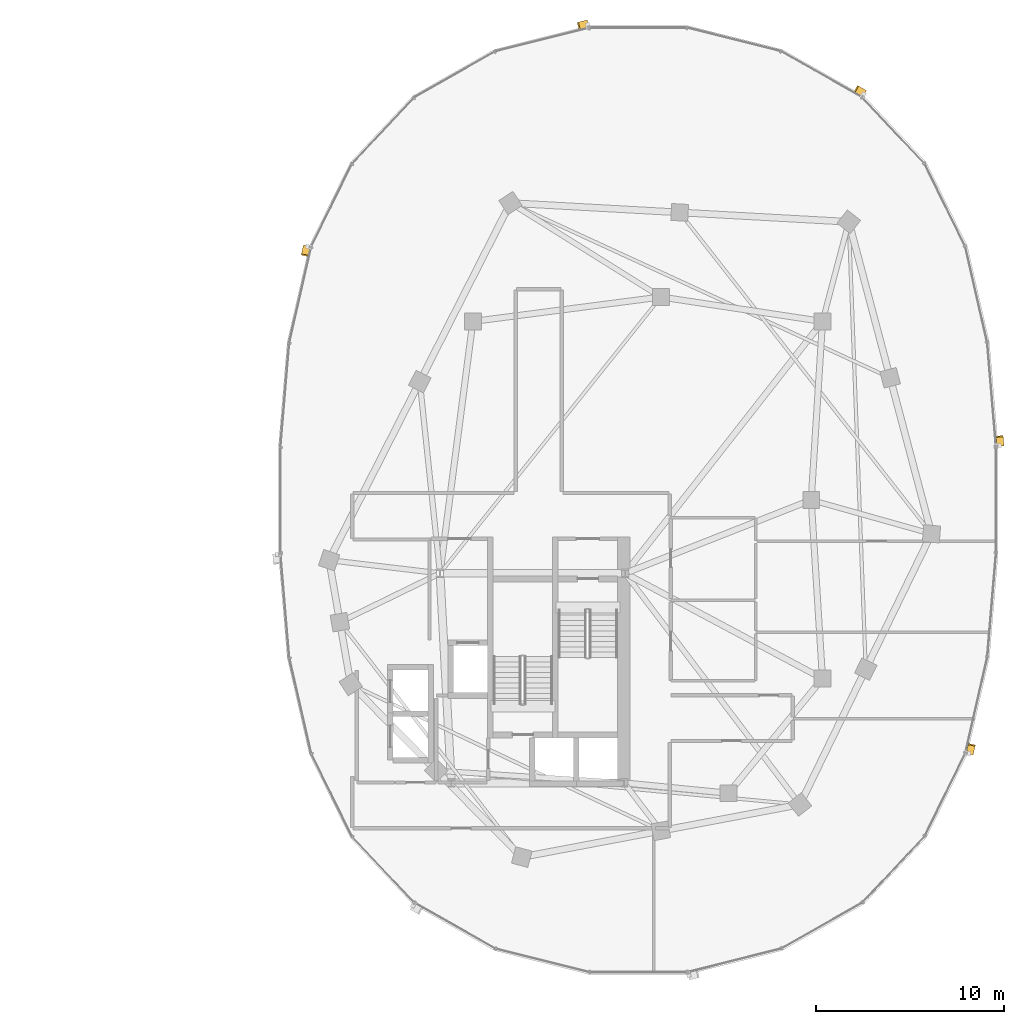
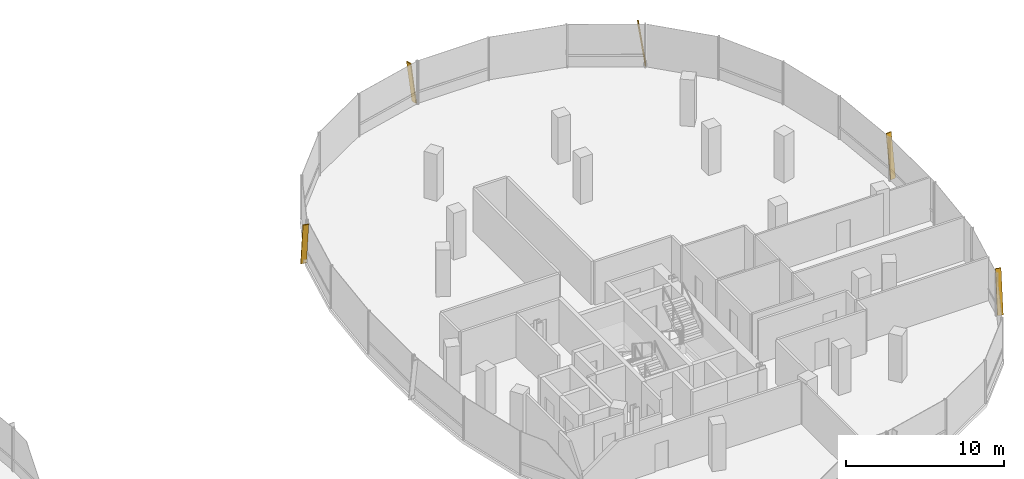
# One storey, part 25 of 25: 5 shading devices.
"""IFC4 building model written with IfcOpenShell, lengths in metres."""

from ifc_helpers import new_model, si_unit, direction, frame, origin, origin_2d, place, context, subcontext, project, spatial, rectangle, extrude, material, material_profile, profile_set, type_object, element, save


model = new_model("IFC4")

# Units and contexts
model_context = context("Model", 3, precision=1e-05, world=origin(), true_north=direction((0.0, 1.0)))
body_context = subcontext(model_context, "Body", "Model", "MODEL_VIEW")
ifc_project = project(units=[si_unit("LENGTHUNIT", "METRE"), si_unit("AREAUNIT", "SQUARE_METRE"), si_unit("VOLUMEUNIT", "CUBIC_METRE"), si_unit("PLANEANGLEUNIT", "RADIAN"), si_unit("MASSUNIT", "GRAM", prefix="KILO"), si_unit("THERMODYNAMICTEMPERATUREUNIT", "KELVIN"), si_unit("POWERUNIT", "WATT")], contexts=[model_context])

# Site, building, storey
site_placement = place(None, origin())
site = spatial("IfcSite", under=ifc_project, at=site_placement, CompositionType="ELEMENT")
building_placement = place(site_placement, origin())
building = spatial("IfcBuilding", under=site, at=building_placement, Name="Cundina Bronze Exchange", CompositionType="ELEMENT")
storey_placement = place(building_placement, frame((0.0, 0.0, 195.39990234375)))
storey = spatial("IfcBuildingStorey", under=building, at=storey_placement, Name="L51", CompositionType="ELEMENT", Elevation=195.39990234375)

# Shading devices
ifc_material = material(Name="Anodised Bronze Aluminium 6063-T6", Category="aluminium")
ifc_material_profile = material_profile(ifc_material, rectangle(XDim=0.070068359375, YDim=0.3798828125, at=origin_2d()), Name="FIN70X380", Category="aluminium")
ifc_profile_set = profile_set([ifc_material_profile], Name="Anodised Bronze Aluminium 6063-T6")
shading_device_type = type_object("IfcShadingDeviceType", Name="SHD-FIN-BRZ380", PredefinedType="USERDEFINED", material=ifc_profile_set)
for number, where, z_axis, x_axis, name in (
    (1, (51.264404296875, 2.90283203125, 0.02001953125), (-0.012006555776, 0.143419772964, 0.98958911238), (0.082555834947, -0.986139516224, 0.143921466983), "L51 Diagonal Bronze Solar Fin 1"),
    (2, (44.015625, 21.635498046875, 0.02001953125), (-0.125189514072, 0.071087145125, 0.989582843103), (0.860526986551, -0.488638423358, 0.143964567292), "L51 Diagonal Bronze Solar Fin 5"),
    (3, (29.294189453125, 25.344482421875, 0.02001953125), (-0.139611891367, -0.03514090606, 0.989582556693), (0.959650042543, 0.24154799183, 0.143966536007), "L51 Diagonal Bronze Solar Fin 1"),
    (4, (14.363037109375, 13.4931640625, 0.02001953125), (-0.032139238682, -0.140343782583, 0.989581068951), (0.220899412839, 0.964610875656, 0.14397676192), "L51 Diagonal Bronze Solar Fin 5"),
    (5, (49.636962890625, -13.4931640625, 0.02001953125), (0.032139238682, 0.140343782583, 0.989581068951), (-0.220899412839, -0.964610875656, 0.14397676192), "L51 Diagonal Bronze Solar Fin 5"),
):
    element("IfcShadingDevice", number, at=place(storey_placement, frame(where, z_axis=z_axis, x_axis=x_axis)), inside=storey, type_object=shading_device_type, Name=name, ObjectType="FIN", PredefinedType="USERDEFINED", context=body_context, shape_type="SweptSolid", body=[
        extrude(rectangle(XDim=0.070068359375, YDim=0.3798828125, at=origin_2d()), origin(), (0.0, 0.0, 1.0), 3.334716796875),
    ])

save(model, "model.ifc")
